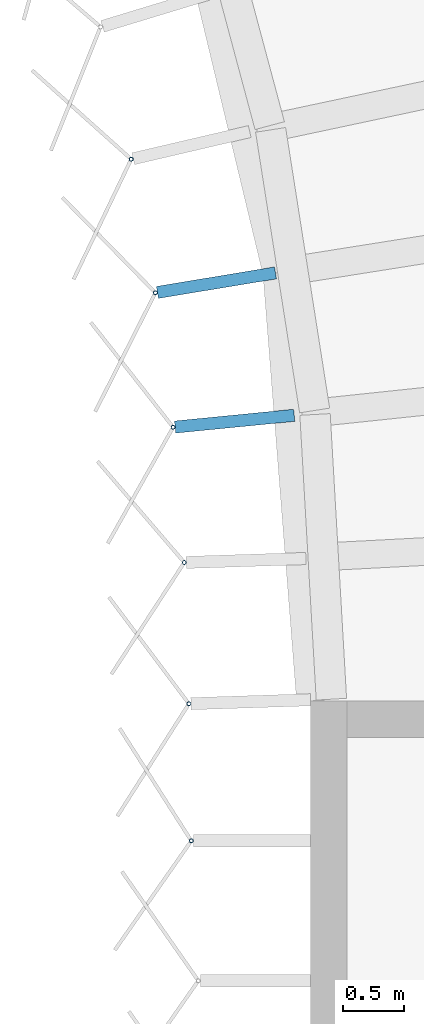
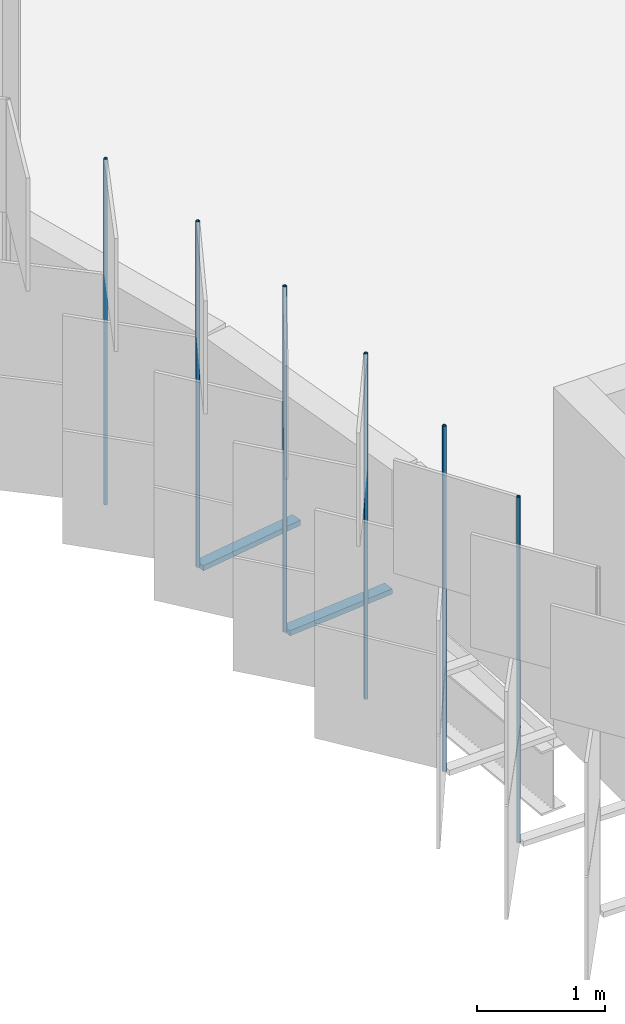
# One storey, part 99 of 198: 8 discrete accessories.
"""IFC4 building model written with IfcOpenShell, lengths in metres."""

from ifc_helpers import new_model, si_unit, direction, frame, origin, origin_2d, place, context, subcontext, project, spatial, rectangle, hollow_circle, extrude, material, material_profile, profile_set, type_object, element, save


model = new_model("IFC4")

# Units and contexts
model_context = context("Model", 3, precision=1e-05, world=origin(), true_north=direction((0.0, 1.0)))
body_context = subcontext(model_context, "Body", "Model", "MODEL_VIEW")
ifc_project = project(units=[si_unit("LENGTHUNIT", "METRE"), si_unit("AREAUNIT", "SQUARE_METRE"), si_unit("VOLUMEUNIT", "CUBIC_METRE"), si_unit("PLANEANGLEUNIT", "RADIAN"), si_unit("MASSUNIT", "GRAM", prefix="KILO")], contexts=[model_context])

# Site, building, storey
site_placement = place(None, origin())
site = spatial("IfcSite", under=ifc_project, at=site_placement, CompositionType="ELEMENT")
building_placement = place(site_placement, origin())
building = spatial("IfcBuilding", under=site, at=building_placement, Name="Parallax Yard Mobility Hub", CompositionType="ELEMENT")
storey_placement = place(building_placement, frame((0.0, 0.0, 6.60009765625)))
storey = spatial("IfcBuildingStorey", under=building, at=storey_placement, Name="L02", CompositionType="ELEMENT", Elevation=6.60009765625)

# Discrete accessories
ifc_material_1 = material(Name="Steel ASTM A36, hot-dip galvanised", Category="steel")
discrete_accessory_type_1 = type_object("IfcDiscreteAccessoryType", Name="Hinge bracket plate 100x50", PredefinedType="BRACKET", material=ifc_material_1)
for number, where, z_axis, x_axis, name in (
    (1, (194.226318359375, 93.439697265625, -0.02490234375), (0.0, 0.0, 1.0), (-0.986643332085, -0.162895473395, 0.0), "Hinge bracket plate bay 22.4 level L02"),
    (2, (194.376220703125, 92.300537109375, -0.02490234375), (0.0, 0.0, 1.0), (-0.995184726672, -0.09801714033, 0.0), "Hinge bracket plate bay 22.5 level L02"),
):
    element("IfcDiscreteAccessory", number, at=place(storey_placement, frame(where, z_axis=z_axis, x_axis=x_axis)), inside=storey, type_object=discrete_accessory_type_1, Name=name, PredefinedType="BRACKET", context=body_context, shape_type="SweptSolid", body=[
        extrude(rectangle(XDim=0.984130859375, YDim=0.10009765625, at=origin_2d()), origin(), (0.0, 0.0, 1.0), 0.050048828125),
    ])
ifc_material_2 = material(Name="Steel ASTM A500 Gr C, hot-dip galvanised", Category="steel")
ifc_material_profile = material_profile(ifc_material_2, hollow_circle(Radius=0.016845703125, WallThickness=0.003173828125, at=origin_2d()), Name="CHS 33.7x3.2")
ifc_profile_set = profile_set([ifc_material_profile], Name="Steel ASTM A500 Gr C, hot-dip galvanised")
discrete_accessory_type_2 = type_object("IfcDiscreteAccessoryType", Name="Hinge post CHS 33.7x3.2", PredefinedType="BRACKET", material=ifc_profile_set)
for number, where, z_axis, x_axis, name in (
    (3, (193.525634765625, 94.455078125, 0.0), (0.0, 0.0, 1.0), (1.0, 0.0, 0.0), "Hinge post bay 22.3 level L02"),
    (4, (193.724609375, 93.35693359375, 0.0), (0.0, 0.0, 1.0), (1.0, 0.0, 0.0), "Hinge post bay 22.4 level L02"),
    (5, (193.870361328125, 92.25048828125, 0.0), (0.0, 0.0, 1.0), (1.0, 0.0, 0.0), "Hinge post bay 22.5 level L02"),
    (6, (193.962158203125, 91.138427734375, 0.0), (0.0, 0.0, 1.0), (1.0, 0.0, 0.0), "Hinge post bay 22.6 level L02"),
    (7, (194.000244140625, 89.976806640625, 0.0), (0.0, 0.0, 1.0), (1.0, 0.0, 0.0), "Hinge post bay 23.1 level L02"),
    (8, (194.019775390625, 88.849609375, 0.0), (0.0, 0.0, 1.0), (1.0, 0.0, 0.0), "Hinge post bay 23.2 level L02"),
):
    element("IfcDiscreteAccessory", number, at=place(storey_placement, frame(where, z_axis=z_axis, x_axis=x_axis)), inside=storey, type_object=discrete_accessory_type_2, Name=name, PredefinedType="BRACKET", context=body_context, shape_type="SweptSolid", body=[
        extrude(hollow_circle(Radius=0.016845703125, WallThickness=0.003173828125, at=origin_2d()), origin(), (0.0, 0.0, 1.0), 3.2998046875),
    ])

save(model, "model.ifc")
